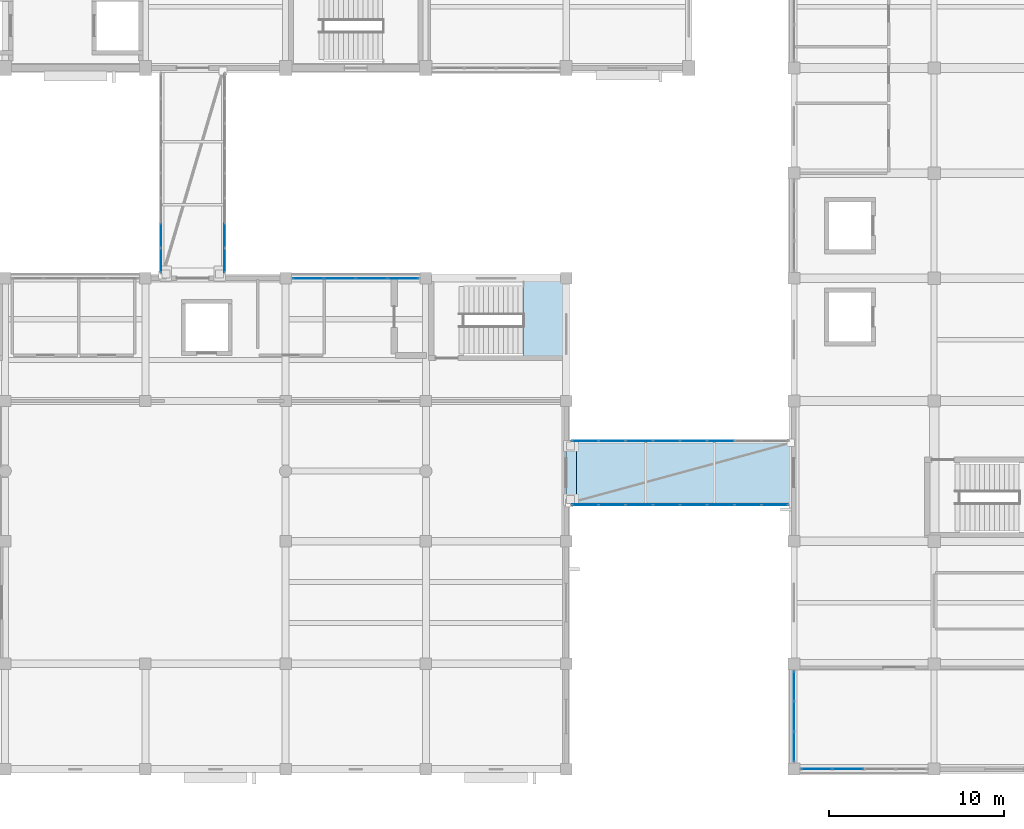
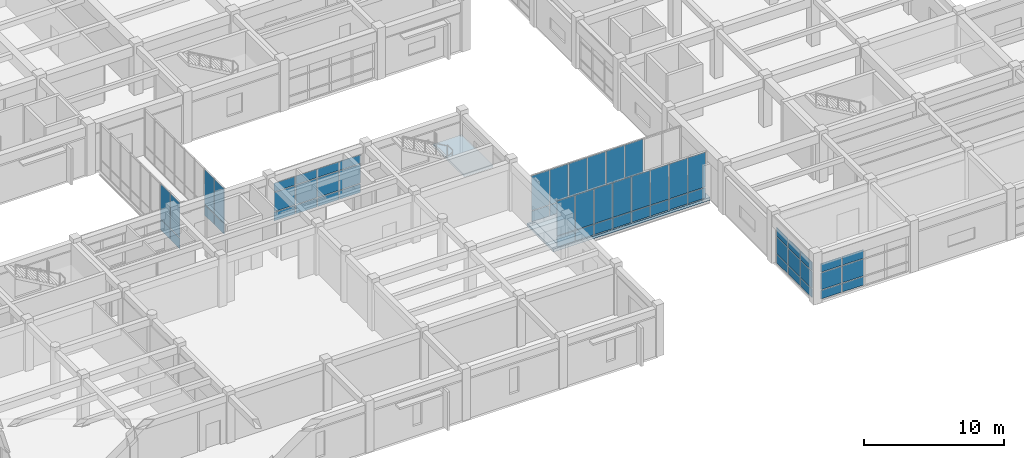
# One storey, part 40 of 72: 64 plates, 2 slabs, 8 elements without a shape of their own.
"""IFC4 building model written with IfcOpenShell, lengths in metres."""

from ifc_helpers import new_model, si_unit, direction, frame, origin, origin_2d, place, context, subcontext, project, spatial, polyline, rectangle, outline, extrude, material, layer, layer_set, type_object, element, aggregate, save


model = new_model("IFC4")

# Units and contexts
model_context = context("Model", 3, precision=1e-05, world=origin(), true_north=direction((0.0, 1.0)))
body_context = subcontext(model_context, "Body", "Model", "MODEL_VIEW")
ifc_project = project(units=[si_unit("LENGTHUNIT", "METRE"), si_unit("AREAUNIT", "SQUARE_METRE"), si_unit("VOLUMEUNIT", "CUBIC_METRE"), si_unit("PLANEANGLEUNIT", "RADIAN"), si_unit("MASSUNIT", "GRAM", prefix="KILO")], contexts=[model_context])

# Site, building, storey
site_placement = place(None, origin())
site = spatial("IfcSite", under=ifc_project, at=site_placement, CompositionType="ELEMENT")
building_placement = place(site_placement, origin())
building = spatial("IfcBuilding", under=site, at=building_placement, Name="Naurynzar Civic Courthouse", CompositionType="ELEMENT")
storey_placement = place(building_placement, frame((0.0, 0.0, 9.89990234375)))
storey = spatial("IfcBuildingStorey", under=building, at=storey_placement, Name="L03", CompositionType="ELEMENT", Elevation=9.89990234375)

# Curtain wall, plates
ifc_material_1 = material(Name="Aluminium 6063-T6", Category="aluminium")
ifc_layer_1 = layer(ifc_material_1, 0.14990234375)
ifc_layer_set_1 = layer_set([ifc_layer_1], Name="CW-BRIDGE-1500")
curtain_wall_type_1 = type_object("IfcCurtainWallType", Name="CW-BRIDGE-1500", PredefinedType="USERDEFINED", material=ifc_layer_set_1)
curtain_wall_1_placement = place(storey_placement, origin())
curtain_wall_1 = element("IfcCurtainWall", 1, at=curtain_wall_1_placement, inside=storey, type_object=curtain_wall_type_1, Name="BR-C1 glazed bridge screen L03.1", ObjectType="GLAZED BRIDGE SCREEN", PredefinedType="USERDEFINED")
ifc_material_2 = material(Name="Tempered Laminated Low-E Glass", Category="glass")
ifc_layer_2 = layer(ifc_material_2, 0.031982421875)
ifc_layer_set_2 = layer_set([ifc_layer_2], Name="CWP-IGU-32")
plate_type_1 = type_object("IfcPlateType", Name="CWP-IGU-32", PredefinedType="CURTAIN_PANEL", material=ifc_layer_set_2)
plate_1_placement = place(storey_placement, frame((93.8798828125, 34.4375, 0.06005859375), z_axis=(0.0, 0.0, 1.0), x_axis=(0.0, -1.0, 0.0)))
plate_1 = element("IfcPlate", 2, at=plate_1_placement, type_object=plate_type_1, Name="CW-03 panel 7.1", PredefinedType="CURTAIN_PANEL", context=body_context, shape_type="SweptSolid", body=[
    extrude(rectangle(XDim=1.364990234375, YDim=0.031982421875, at=origin_2d()), origin(), (0.0, 0.0, 1.0), 0.909912109375),
])
plate_2_placement = place(storey_placement, frame((93.8798828125, 34.4375, 1.0302734375), z_axis=(0.0, 0.0, 1.0), x_axis=(0.0, -1.0, 0.0)))
plate_2 = element("IfcPlate", 3, at=plate_2_placement, type_object=plate_type_1, Name="CW-03 panel 7.2", PredefinedType="CURTAIN_PANEL", context=body_context, shape_type="SweptSolid", body=[
    extrude(rectangle(XDim=1.364990234375, YDim=0.031982421875, at=origin_2d()), origin(), (0.0, 0.0, 1.0), 3.030029296875),
])
plate_3_placement = place(storey_placement, frame((93.8798828125, 33.027587890625, 0.06005859375), z_axis=(0.0, 0.0, 1.0), x_axis=(0.0, -1.0, 0.0)))
plate_3 = element("IfcPlate", 4, at=plate_3_placement, type_object=plate_type_1, Name="CW-03 panel 8.1", PredefinedType="CURTAIN_PANEL", context=body_context, shape_type="SweptSolid", body=[
    extrude(rectangle(XDim=1.3349609375, YDim=0.031982421875, at=origin_2d()), origin(), (0.0, 0.0, 1.0), 0.909912109375),
])
plate_4_placement = place(storey_placement, frame((93.8798828125, 33.027587890625, 1.0302734375), z_axis=(0.0, 0.0, 1.0), x_axis=(0.0, -1.0, 0.0)))
plate_4 = element("IfcPlate", 5, at=plate_4_placement, type_object=plate_type_1, Name="CW-03 panel 8.2", PredefinedType="CURTAIN_PANEL", context=body_context, shape_type="SweptSolid", body=[
    extrude(rectangle(XDim=1.3349609375, YDim=0.031982421875, at=origin_2d()), origin(), (0.0, 0.0, 1.0), 3.030029296875),
])
aggregate(curtain_wall_1, [plate_1, plate_2, plate_3, plate_4])

curtain_wall_2_placement = place(storey_placement, origin())
curtain_wall_2 = element("IfcCurtainWall", 6, at=curtain_wall_2_placement, inside=storey, type_object=curtain_wall_type_1, Name="BR-C1 glazed bridge screen L03.2", ObjectType="GLAZED BRIDGE SCREEN", PredefinedType="USERDEFINED")
plate_5_placement = place(storey_placement, frame((97.52001953125, 33.027587890625, 0.06005859375), z_axis=(0.0, 0.0, 1.0), x_axis=(0.0, 1.0, 0.0)))
plate_5 = element("IfcPlate", 7, at=plate_5_placement, type_object=plate_type_1, Name="CW-03 panel 1.1", PredefinedType="CURTAIN_PANEL", context=body_context, shape_type="SweptSolid", body=[
    extrude(rectangle(XDim=1.3349609375, YDim=0.031982421875, at=origin_2d()), origin(), (0.0, 0.0, 1.0), 0.909912109375),
])
plate_6_placement = place(storey_placement, frame((97.52001953125, 33.027587890625, 1.0302734375), z_axis=(0.0, 0.0, 1.0), x_axis=(0.0, 1.0, 0.0)))
plate_6 = element("IfcPlate", 8, at=plate_6_placement, type_object=plate_type_1, Name="CW-03 panel 1.2", PredefinedType="CURTAIN_PANEL", context=body_context, shape_type="SweptSolid", body=[
    extrude(rectangle(XDim=1.3349609375, YDim=0.031982421875, at=origin_2d()), origin(), (0.0, 0.0, 1.0), 3.030029296875),
])
plate_7_placement = place(storey_placement, frame((97.52001953125, 34.4375, 0.06005859375), z_axis=(0.0, 0.0, 1.0), x_axis=(0.0, 1.0, 0.0)))
plate_7 = element("IfcPlate", 9, at=plate_7_placement, type_object=plate_type_1, Name="CW-03 panel 2.1", PredefinedType="CURTAIN_PANEL", context=body_context, shape_type="SweptSolid", body=[
    extrude(rectangle(XDim=1.364990234375, YDim=0.031982421875, at=origin_2d()), origin(), (0.0, 0.0, 1.0), 0.909912109375),
])
plate_8_placement = place(storey_placement, frame((97.52001953125, 34.4375, 1.0302734375), z_axis=(0.0, 0.0, 1.0), x_axis=(0.0, 1.0, 0.0)))
plate_8 = element("IfcPlate", 10, at=plate_8_placement, type_object=plate_type_1, Name="CW-03 panel 2.2", PredefinedType="CURTAIN_PANEL", context=body_context, shape_type="SweptSolid", body=[
    extrude(rectangle(XDim=1.364990234375, YDim=0.031982421875, at=origin_2d()), origin(), (0.0, 0.0, 1.0), 3.030029296875),
])
aggregate(curtain_wall_2, [plate_5, plate_6, plate_7, plate_8])

curtain_wall_3_placement = place(storey_placement, origin())
curtain_wall_3 = element("IfcCurtainWall", 11, at=curtain_wall_3_placement, inside=storey, type_object=curtain_wall_type_1, Name="BR-E2 glazed bridge screen L03.1", ObjectType="GLAZED BRIDGE SCREEN", PredefinedType="USERDEFINED")
plate_9_placement = place(storey_placement, frame((118.090087890625, 19.080078125, 0.06005859375), z_axis=(0.0, 0.0, 1.0), x_axis=(1.0, 0.0, 0.0)))
plate_9 = element("IfcPlate", 12, at=plate_9_placement, type_object=plate_type_1, Name="CW-03 panel 1.1", PredefinedType="CURTAIN_PANEL", context=body_context, shape_type="SweptSolid", body=[
    extrude(rectangle(XDim=1.4599609375, YDim=0.031982421875, at=origin_2d()), origin(), (0.0, 0.0, 1.0), 0.909912109375),
])
plate_10_placement = place(storey_placement, frame((118.090087890625, 19.080078125, 1.0302734375), z_axis=(0.0, 0.0, 1.0), x_axis=(1.0, 0.0, 0.0)))
plate_10 = element("IfcPlate", 13, at=plate_10_placement, type_object=plate_type_1, Name="CW-03 panel 1.2", PredefinedType="CURTAIN_PANEL", context=body_context, shape_type="SweptSolid", body=[
    extrude(rectangle(XDim=1.4599609375, YDim=0.031982421875, at=origin_2d()), origin(), (0.0, 0.0, 1.0), 3.030029296875),
])
plate_11_placement = place(storey_placement, frame((119.625, 19.080078125, 0.06005859375), z_axis=(0.0, 0.0, 1.0), x_axis=(1.0, 0.0, 0.0)))
plate_11 = element("IfcPlate", 14, at=plate_11_placement, type_object=plate_type_1, Name="CW-03 panel 2.1", PredefinedType="CURTAIN_PANEL", context=body_context, shape_type="SweptSolid", body=[
    extrude(rectangle(XDim=1.489990234375, YDim=0.031982421875, at=origin_2d()), origin(), (0.0, 0.0, 1.0), 0.909912109375),
])
plate_12_placement = place(storey_placement, frame((119.625, 19.080078125, 1.0302734375), z_axis=(0.0, 0.0, 1.0), x_axis=(1.0, 0.0, 0.0)))
plate_12 = element("IfcPlate", 15, at=plate_12_placement, type_object=plate_type_1, Name="CW-03 panel 2.2", PredefinedType="CURTAIN_PANEL", context=body_context, shape_type="SweptSolid", body=[
    extrude(rectangle(XDim=1.489990234375, YDim=0.031982421875, at=origin_2d()), origin(), (0.0, 0.0, 1.0), 3.030029296875),
])
plate_13_placement = place(storey_placement, frame((121.175048828125, 19.080078125, 0.06005859375), z_axis=(0.0, 0.0, 1.0), x_axis=(1.0, 0.0, 0.0)))
plate_13 = element("IfcPlate", 16, at=plate_13_placement, type_object=plate_type_1, Name="CW-03 panel 3.1", PredefinedType="CURTAIN_PANEL", context=body_context, shape_type="SweptSolid", body=[
    extrude(rectangle(XDim=1.489990234375, YDim=0.031982421875, at=origin_2d()), origin(), (0.0, 0.0, 1.0), 0.909912109375),
])
plate_14_placement = place(storey_placement, frame((121.175048828125, 19.080078125, 1.0302734375), z_axis=(0.0, 0.0, 1.0), x_axis=(1.0, 0.0, 0.0)))
plate_14 = element("IfcPlate", 17, at=plate_14_placement, type_object=plate_type_1, Name="CW-03 panel 3.2", PredefinedType="CURTAIN_PANEL", context=body_context, shape_type="SweptSolid", body=[
    extrude(rectangle(XDim=1.489990234375, YDim=0.031982421875, at=origin_2d()), origin(), (0.0, 0.0, 1.0), 3.030029296875),
])
plate_15_placement = place(storey_placement, frame((122.72509765625, 19.080078125, 0.06005859375), z_axis=(0.0, 0.0, 1.0), x_axis=(1.0, 0.0, 0.0)))
plate_15 = element("IfcPlate", 18, at=plate_15_placement, type_object=plate_type_1, Name="CW-03 panel 4.1", PredefinedType="CURTAIN_PANEL", context=body_context, shape_type="SweptSolid", body=[
    extrude(rectangle(XDim=1.489990234375, YDim=0.031982421875, at=origin_2d()), origin(), (0.0, 0.0, 1.0), 0.909912109375),
])
plate_16_placement = place(storey_placement, frame((122.72509765625, 19.080078125, 1.0302734375), z_axis=(0.0, 0.0, 1.0), x_axis=(1.0, 0.0, 0.0)))
plate_16 = element("IfcPlate", 19, at=plate_16_placement, type_object=plate_type_1, Name="CW-03 panel 4.2", PredefinedType="CURTAIN_PANEL", context=body_context, shape_type="SweptSolid", body=[
    extrude(rectangle(XDim=1.489990234375, YDim=0.031982421875, at=origin_2d()), origin(), (0.0, 0.0, 1.0), 3.030029296875),
])
plate_17_placement = place(storey_placement, frame((124.27490234375, 19.080078125, 0.06005859375), z_axis=(0.0, 0.0, 1.0), x_axis=(1.0, 0.0, 0.0)))
plate_17 = element("IfcPlate", 20, at=plate_17_placement, type_object=plate_type_1, Name="CW-03 panel 5.1", PredefinedType="CURTAIN_PANEL", context=body_context, shape_type="SweptSolid", body=[
    extrude(rectangle(XDim=1.489990234375, YDim=0.031982421875, at=origin_2d()), origin(), (0.0, 0.0, 1.0), 0.909912109375),
])
plate_18_placement = place(storey_placement, frame((124.27490234375, 19.080078125, 1.0302734375), z_axis=(0.0, 0.0, 1.0), x_axis=(1.0, 0.0, 0.0)))
plate_18 = element("IfcPlate", 21, at=plate_18_placement, type_object=plate_type_1, Name="CW-03 panel 5.2", PredefinedType="CURTAIN_PANEL", context=body_context, shape_type="SweptSolid", body=[
    extrude(rectangle(XDim=1.489990234375, YDim=0.031982421875, at=origin_2d()), origin(), (0.0, 0.0, 1.0), 3.030029296875),
])
plate_19_placement = place(storey_placement, frame((125.824951171875, 19.080078125, 0.06005859375), z_axis=(0.0, 0.0, 1.0), x_axis=(1.0, 0.0, 0.0)))
plate_19 = element("IfcPlate", 22, at=plate_19_placement, type_object=plate_type_1, Name="CW-03 panel 6.1", PredefinedType="CURTAIN_PANEL", context=body_context, shape_type="SweptSolid", body=[
    extrude(rectangle(XDim=1.489990234375, YDim=0.031982421875, at=origin_2d()), origin(), (0.0, 0.0, 1.0), 0.909912109375),
])
plate_20_placement = place(storey_placement, frame((125.824951171875, 19.080078125, 1.0302734375), z_axis=(0.0, 0.0, 1.0), x_axis=(1.0, 0.0, 0.0)))
plate_20 = element("IfcPlate", 23, at=plate_20_placement, type_object=plate_type_1, Name="CW-03 panel 6.2", PredefinedType="CURTAIN_PANEL", context=body_context, shape_type="SweptSolid", body=[
    extrude(rectangle(XDim=1.489990234375, YDim=0.031982421875, at=origin_2d()), origin(), (0.0, 0.0, 1.0), 3.030029296875),
])
plate_21_placement = place(storey_placement, frame((127.375, 19.080078125, 0.06005859375), z_axis=(0.0, 0.0, 1.0), x_axis=(1.0, 0.0, 0.0)))
plate_21 = element("IfcPlate", 24, at=plate_21_placement, type_object=plate_type_1, Name="CW-03 panel 7.1", PredefinedType="CURTAIN_PANEL", context=body_context, shape_type="SweptSolid", body=[
    extrude(rectangle(XDim=1.489990234375, YDim=0.031982421875, at=origin_2d()), origin(), (0.0, 0.0, 1.0), 0.909912109375),
])
plate_22_placement = place(storey_placement, frame((127.375, 19.080078125, 1.0302734375), z_axis=(0.0, 0.0, 1.0), x_axis=(1.0, 0.0, 0.0)))
plate_22 = element("IfcPlate", 25, at=plate_22_placement, type_object=plate_type_1, Name="CW-03 panel 7.2", PredefinedType="CURTAIN_PANEL", context=body_context, shape_type="SweptSolid", body=[
    extrude(rectangle(XDim=1.489990234375, YDim=0.031982421875, at=origin_2d()), origin(), (0.0, 0.0, 1.0), 3.030029296875),
])
plate_23_placement = place(storey_placement, frame((128.909912109375, 19.080078125, 0.06005859375), z_axis=(0.0, 0.0, 1.0), x_axis=(1.0, 0.0, 0.0)))
plate_23 = element("IfcPlate", 26, at=plate_23_placement, type_object=plate_type_1, Name="CW-03 panel 8.1", PredefinedType="CURTAIN_PANEL", context=body_context, shape_type="SweptSolid", body=[
    extrude(rectangle(XDim=1.4599609375, YDim=0.031982421875, at=origin_2d()), origin(), (0.0, 0.0, 1.0), 0.909912109375),
])
plate_24_placement = place(storey_placement, frame((128.909912109375, 19.080078125, 1.0302734375), z_axis=(0.0, 0.0, 1.0), x_axis=(1.0, 0.0, 0.0)))
plate_24 = element("IfcPlate", 27, at=plate_24_placement, type_object=plate_type_1, Name="CW-03 panel 8.2", PredefinedType="CURTAIN_PANEL", context=body_context, shape_type="SweptSolid", body=[
    extrude(rectangle(XDim=1.4599609375, YDim=0.031982421875, at=origin_2d()), origin(), (0.0, 0.0, 1.0), 3.030029296875),
])
aggregate(curtain_wall_3, [plate_9, plate_10, plate_11, plate_12, plate_13, plate_14, plate_15, plate_16, plate_17, plate_18, plate_19, plate_20, plate_21, plate_22, plate_23, plate_24])

curtain_wall_4_placement = place(storey_placement, origin())
curtain_wall_4 = element("IfcCurtainWall", 28, at=curtain_wall_4_placement, inside=storey, type_object=curtain_wall_type_1, Name="BR-E2 glazed bridge screen L03.2", ObjectType="GLAZED BRIDGE SCREEN", PredefinedType="USERDEFINED")
plate_25_placement = place(storey_placement, frame((125.824951171875, 22.719970703125, 0.06005859375), z_axis=(0.0, 0.0, 1.0), x_axis=(-1.0, 0.0, 0.0)))
plate_25 = element("IfcPlate", 29, at=plate_25_placement, type_object=plate_type_1, Name="CW-03 panel 3.1", PredefinedType="CURTAIN_PANEL", context=body_context, shape_type="SweptSolid", body=[
    extrude(rectangle(XDim=1.489990234375, YDim=0.031982421875, at=origin_2d()), origin(), (0.0, 0.0, 1.0), 0.909912109375),
])
plate_26_placement = place(storey_placement, frame((125.824951171875, 22.719970703125, 1.0302734375), z_axis=(0.0, 0.0, 1.0), x_axis=(-1.0, 0.0, 0.0)))
plate_26 = element("IfcPlate", 30, at=plate_26_placement, type_object=plate_type_1, Name="CW-03 panel 3.2", PredefinedType="CURTAIN_PANEL", context=body_context, shape_type="SweptSolid", body=[
    extrude(rectangle(XDim=1.489990234375, YDim=0.031982421875, at=origin_2d()), origin(), (0.0, 0.0, 1.0), 3.030029296875),
])
plate_27_placement = place(storey_placement, frame((124.27490234375, 22.719970703125, 0.06005859375), z_axis=(0.0, 0.0, 1.0), x_axis=(-1.0, 0.0, 0.0)))
plate_27 = element("IfcPlate", 31, at=plate_27_placement, type_object=plate_type_1, Name="CW-03 panel 4.1", PredefinedType="CURTAIN_PANEL", context=body_context, shape_type="SweptSolid", body=[
    extrude(rectangle(XDim=1.489990234375, YDim=0.031982421875, at=origin_2d()), origin(), (0.0, 0.0, 1.0), 0.909912109375),
])
plate_28_placement = place(storey_placement, frame((124.27490234375, 22.719970703125, 1.0302734375), z_axis=(0.0, 0.0, 1.0), x_axis=(-1.0, 0.0, 0.0)))
plate_28 = element("IfcPlate", 32, at=plate_28_placement, type_object=plate_type_1, Name="CW-03 panel 4.2", PredefinedType="CURTAIN_PANEL", context=body_context, shape_type="SweptSolid", body=[
    extrude(rectangle(XDim=1.489990234375, YDim=0.031982421875, at=origin_2d()), origin(), (0.0, 0.0, 1.0), 3.030029296875),
])
plate_29_placement = place(storey_placement, frame((122.72509765625, 22.719970703125, 0.06005859375), z_axis=(0.0, 0.0, 1.0), x_axis=(-1.0, 0.0, 0.0)))
plate_29 = element("IfcPlate", 33, at=plate_29_placement, type_object=plate_type_1, Name="CW-03 panel 5.1", PredefinedType="CURTAIN_PANEL", context=body_context, shape_type="SweptSolid", body=[
    extrude(rectangle(XDim=1.489990234375, YDim=0.031982421875, at=origin_2d()), origin(), (0.0, 0.0, 1.0), 0.909912109375),
])
plate_30_placement = place(storey_placement, frame((122.72509765625, 22.719970703125, 1.0302734375), z_axis=(0.0, 0.0, 1.0), x_axis=(-1.0, 0.0, 0.0)))
plate_30 = element("IfcPlate", 34, at=plate_30_placement, type_object=plate_type_1, Name="CW-03 panel 5.2", PredefinedType="CURTAIN_PANEL", context=body_context, shape_type="SweptSolid", body=[
    extrude(rectangle(XDim=1.489990234375, YDim=0.031982421875, at=origin_2d()), origin(), (0.0, 0.0, 1.0), 3.030029296875),
])
plate_31_placement = place(storey_placement, frame((121.175048828125, 22.719970703125, 0.06005859375), z_axis=(0.0, 0.0, 1.0), x_axis=(-1.0, 0.0, 0.0)))
plate_31 = element("IfcPlate", 35, at=plate_31_placement, type_object=plate_type_1, Name="CW-03 panel 6.1", PredefinedType="CURTAIN_PANEL", context=body_context, shape_type="SweptSolid", body=[
    extrude(rectangle(XDim=1.489990234375, YDim=0.031982421875, at=origin_2d()), origin(), (0.0, 0.0, 1.0), 0.909912109375),
])
plate_32_placement = place(storey_placement, frame((121.175048828125, 22.719970703125, 1.0302734375), z_axis=(0.0, 0.0, 1.0), x_axis=(-1.0, 0.0, 0.0)))
plate_32 = element("IfcPlate", 36, at=plate_32_placement, type_object=plate_type_1, Name="CW-03 panel 6.2", PredefinedType="CURTAIN_PANEL", context=body_context, shape_type="SweptSolid", body=[
    extrude(rectangle(XDim=1.489990234375, YDim=0.031982421875, at=origin_2d()), origin(), (0.0, 0.0, 1.0), 3.030029296875),
])
plate_33_placement = place(storey_placement, frame((119.625, 22.719970703125, 0.06005859375), z_axis=(0.0, 0.0, 1.0), x_axis=(-1.0, 0.0, 0.0)))
plate_33 = element("IfcPlate", 37, at=plate_33_placement, type_object=plate_type_1, Name="CW-03 panel 7.1", PredefinedType="CURTAIN_PANEL", context=body_context, shape_type="SweptSolid", body=[
    extrude(rectangle(XDim=1.489990234375, YDim=0.031982421875, at=origin_2d()), origin(), (0.0, 0.0, 1.0), 0.909912109375),
])
plate_34_placement = place(storey_placement, frame((119.625, 22.719970703125, 1.0302734375), z_axis=(0.0, 0.0, 1.0), x_axis=(-1.0, 0.0, 0.0)))
plate_34 = element("IfcPlate", 38, at=plate_34_placement, type_object=plate_type_1, Name="CW-03 panel 7.2", PredefinedType="CURTAIN_PANEL", context=body_context, shape_type="SweptSolid", body=[
    extrude(rectangle(XDim=1.489990234375, YDim=0.031982421875, at=origin_2d()), origin(), (0.0, 0.0, 1.0), 3.030029296875),
])
plate_35_placement = place(storey_placement, frame((118.090087890625, 22.719970703125, 0.06005859375), z_axis=(0.0, 0.0, 1.0), x_axis=(-1.0, 0.0, 0.0)))
plate_35 = element("IfcPlate", 39, at=plate_35_placement, type_object=plate_type_1, Name="CW-03 panel 8.1", PredefinedType="CURTAIN_PANEL", context=body_context, shape_type="SweptSolid", body=[
    extrude(rectangle(XDim=1.4599609375, YDim=0.031982421875, at=origin_2d()), origin(), (0.0, 0.0, 1.0), 0.909912109375),
])
plate_36_placement = place(storey_placement, frame((118.090087890625, 22.719970703125, 1.0302734375), z_axis=(0.0, 0.0, 1.0), x_axis=(-1.0, 0.0, 0.0)))
plate_36 = element("IfcPlate", 40, at=plate_36_placement, type_object=plate_type_1, Name="CW-03 panel 8.2", PredefinedType="CURTAIN_PANEL", context=body_context, shape_type="SweptSolid", body=[
    extrude(rectangle(XDim=1.4599609375, YDim=0.031982421875, at=origin_2d()), origin(), (0.0, 0.0, 1.0), 3.030029296875),
])
aggregate(curtain_wall_4, [plate_25, plate_26, plate_27, plate_28, plate_29, plate_30, plate_31, plate_32, plate_33, plate_34, plate_35, plate_36])

ifc_material_3 = material(Name="Aluminium 6063-T6", Category="aluminium")
ifc_layer_3 = layer(ifc_material_3, 0.159912109375)
ifc_layer_set_3 = layer_set([ifc_layer_3], Name="CW-UNIT-1800")
curtain_wall_type_2 = type_object("IfcCurtainWallType", Name="CW-UNIT-1800", PredefinedType="NOTDEFINED", material=ifc_layer_set_3)
curtain_wall_5_placement = place(storey_placement, origin())
curtain_wall_5 = element("IfcCurtainWall", 41, at=curtain_wall_5_placement, inside=storey, type_object=curtain_wall_type_2, Name="V3 unitised curtain wall 69 L03", PredefinedType="NOTDEFINED")
ifc_material_4 = material(Name="Tempered Laminated Low-E Glass", Category="glass")
ifc_layer_4 = layer(ifc_material_4, 0.035888671875)
ifc_layer_set_4 = layer_set([ifc_layer_4], Name="CWP-IGU-36")
plate_type_2 = type_object("IfcPlateType", Name="CWP-IGU-36", PredefinedType="CURTAIN_PANEL", material=ifc_layer_set_4)
plate_37_placement = place(storey_placement, frame((102.298828125, 32.0, 0.070068359375), z_axis=(0.0, 0.0, 1.0), x_axis=(1.0, 0.0, 0.0)))
plate_37 = element("IfcPlate", 42, at=plate_37_placement, type_object=plate_type_2, Name="CW-02 panel 1.1", PredefinedType="CURTAIN_PANEL", context=body_context, shape_type="SweptSolid", body=[
    extrude(rectangle(XDim=1.70751953125, YDim=0.035888671875, at=origin_2d()), origin(), (0.0, 0.0, 1.0), 0.7451171875),
])
plate_38_placement = place(storey_placement, frame((102.298828125, 32.0, 0.88525390625), z_axis=(0.0, 0.0, 1.0), x_axis=(1.0, 0.0, 0.0)))
plate_38 = element("IfcPlate", 43, at=plate_38_placement, type_object=plate_type_2, Name="CW-02 panel 1.2", PredefinedType="CURTAIN_PANEL", context=body_context, shape_type="SweptSolid", body=[
    extrude(rectangle(XDim=1.70751953125, YDim=0.035888671875, at=origin_2d()), origin(), (0.0, 0.0, 1.0), 1.669921875),
])
plate_39_placement = place(storey_placement, frame((102.298828125, 32.0, 2.625), z_axis=(0.0, 0.0, 1.0), x_axis=(1.0, 0.0, 0.0)))
plate_39 = element("IfcPlate", 44, at=plate_39_placement, type_object=plate_type_2, Name="CW-02 panel 1.3", PredefinedType="CURTAIN_PANEL", context=body_context, shape_type="SweptSolid", body=[
    extrude(rectangle(XDim=1.70751953125, YDim=0.035888671875, at=origin_2d()), origin(), (0.0, 0.0, 1.0), 0.7451171875),
])
plate_40_placement = place(storey_placement, frame((104.09375, 32.0, 0.070068359375), z_axis=(0.0, 0.0, 1.0), x_axis=(1.0, 0.0, 0.0)))
plate_40 = element("IfcPlate", 45, at=plate_40_placement, type_object=plate_type_2, Name="CW-02 panel 2.1", PredefinedType="CURTAIN_PANEL", context=body_context, shape_type="SweptSolid", body=[
    extrude(rectangle(XDim=1.742431640625, YDim=0.035888671875, at=origin_2d()), origin(), (0.0, 0.0, 1.0), 0.7451171875),
])
plate_41_placement = place(storey_placement, frame((104.09375, 32.0, 0.88525390625), z_axis=(0.0, 0.0, 1.0), x_axis=(1.0, 0.0, 0.0)))
plate_41 = element("IfcPlate", 46, at=plate_41_placement, type_object=plate_type_2, Name="CW-02 panel 2.2", PredefinedType="CURTAIN_PANEL", context=body_context, shape_type="SweptSolid", body=[
    extrude(rectangle(XDim=1.742431640625, YDim=0.035888671875, at=origin_2d()), origin(), (0.0, 0.0, 1.0), 1.669921875),
])
plate_42_placement = place(storey_placement, frame((104.09375, 32.0, 2.625), z_axis=(0.0, 0.0, 1.0), x_axis=(1.0, 0.0, 0.0)))
plate_42 = element("IfcPlate", 47, at=plate_42_placement, type_object=plate_type_2, Name="CW-02 panel 2.3", PredefinedType="CURTAIN_PANEL", context=body_context, shape_type="SweptSolid", body=[
    extrude(rectangle(XDim=1.742431640625, YDim=0.035888671875, at=origin_2d()), origin(), (0.0, 0.0, 1.0), 0.7451171875),
])
plate_43_placement = place(storey_placement, frame((105.90625, 32.0, 0.070068359375), z_axis=(0.0, 0.0, 1.0), x_axis=(1.0, 0.0, 0.0)))
plate_43 = element("IfcPlate", 48, at=plate_43_placement, type_object=plate_type_2, Name="CW-02 panel 3.1", PredefinedType="CURTAIN_PANEL", context=body_context, shape_type="SweptSolid", body=[
    extrude(rectangle(XDim=1.742431640625, YDim=0.035888671875, at=origin_2d()), origin(), (0.0, 0.0, 1.0), 0.7451171875),
])
plate_44_placement = place(storey_placement, frame((105.90625, 32.0, 0.88525390625), z_axis=(0.0, 0.0, 1.0), x_axis=(1.0, 0.0, 0.0)))
plate_44 = element("IfcPlate", 49, at=plate_44_placement, type_object=plate_type_2, Name="CW-02 panel 3.2", PredefinedType="CURTAIN_PANEL", context=body_context, shape_type="SweptSolid", body=[
    extrude(rectangle(XDim=1.742431640625, YDim=0.035888671875, at=origin_2d()), origin(), (0.0, 0.0, 1.0), 1.669921875),
])
plate_45_placement = place(storey_placement, frame((105.90625, 32.0, 2.625), z_axis=(0.0, 0.0, 1.0), x_axis=(1.0, 0.0, 0.0)))
plate_45 = element("IfcPlate", 50, at=plate_45_placement, type_object=plate_type_2, Name="CW-02 panel 3.3", PredefinedType="CURTAIN_PANEL", context=body_context, shape_type="SweptSolid", body=[
    extrude(rectangle(XDim=1.742431640625, YDim=0.035888671875, at=origin_2d()), origin(), (0.0, 0.0, 1.0), 0.7451171875),
])
plate_46_placement = place(storey_placement, frame((107.701171875, 32.0, 0.070068359375), z_axis=(0.0, 0.0, 1.0), x_axis=(1.0, 0.0, 0.0)))
plate_46 = element("IfcPlate", 51, at=plate_46_placement, type_object=plate_type_2, Name="CW-02 panel 4.1", PredefinedType="CURTAIN_PANEL", context=body_context, shape_type="SweptSolid", body=[
    extrude(rectangle(XDim=1.70751953125, YDim=0.035888671875, at=origin_2d()), origin(), (0.0, 0.0, 1.0), 0.7451171875),
])
plate_47_placement = place(storey_placement, frame((107.701171875, 32.0, 0.88525390625), z_axis=(0.0, 0.0, 1.0), x_axis=(1.0, 0.0, 0.0)))
plate_47 = element("IfcPlate", 52, at=plate_47_placement, type_object=plate_type_2, Name="CW-02 panel 4.2", PredefinedType="CURTAIN_PANEL", context=body_context, shape_type="SweptSolid", body=[
    extrude(rectangle(XDim=1.70751953125, YDim=0.035888671875, at=origin_2d()), origin(), (0.0, 0.0, 1.0), 1.669921875),
])
plate_48_placement = place(storey_placement, frame((107.701171875, 32.0, 2.625), z_axis=(0.0, 0.0, 1.0), x_axis=(1.0, 0.0, 0.0)))
plate_48 = element("IfcPlate", 53, at=plate_48_placement, type_object=plate_type_2, Name="CW-02 panel 4.3", PredefinedType="CURTAIN_PANEL", context=body_context, shape_type="SweptSolid", body=[
    extrude(rectangle(XDim=1.70751953125, YDim=0.035888671875, at=origin_2d()), origin(), (0.0, 0.0, 1.0), 0.7451171875),
])
aggregate(curtain_wall_5, [plate_37, plate_38, plate_39, plate_40, plate_41, plate_42, plate_43, plate_44, plate_45, plate_46, plate_47, plate_48])

curtain_wall_6_placement = place(storey_placement, origin())
curtain_wall_6 = element("IfcCurtainWall", 54, at=curtain_wall_6_placement, inside=storey, type_object=curtain_wall_type_2, Name="V5 unitised curtain wall 90 L03", PredefinedType="NOTDEFINED")
plate_49_placement = place(storey_placement, frame((130.0, 5.27587890625, 0.070068359375), z_axis=(0.0, 0.0, 1.0), x_axis=(0.0, 1.0, 0.0)))
plate_49 = element("IfcPlate", 55, at=plate_49_placement, type_object=plate_type_2, Name="CW-02 panel 1.1", PredefinedType="CURTAIN_PANEL", context=body_context, shape_type="SweptSolid", body=[
    extrude(rectangle(XDim=1.63671875, YDim=0.035888671875, at=origin_2d()), origin(), (0.0, 0.0, 1.0), 0.7451171875),
])
plate_50_placement = place(storey_placement, frame((130.0, 5.27587890625, 0.885009765625), z_axis=(0.0, 0.0, 1.0), x_axis=(0.0, 1.0, 0.0)))
plate_50 = element("IfcPlate", 56, at=plate_50_placement, type_object=plate_type_2, Name="CW-02 panel 1.2", PredefinedType="CURTAIN_PANEL", context=body_context, shape_type="SweptSolid", body=[
    extrude(rectangle(XDim=1.63671875, YDim=0.035888671875, at=origin_2d()), origin(), (0.0, 0.0, 1.0), 1.4599609375),
])
plate_51_placement = place(storey_placement, frame((130.0, 5.27587890625, 2.4150390625), z_axis=(0.0, 0.0, 1.0), x_axis=(0.0, 1.0, 0.0)))
plate_51 = element("IfcPlate", 57, at=plate_51_placement, type_object=plate_type_2, Name="CW-02 panel 1.3", PredefinedType="CURTAIN_PANEL", context=body_context, shape_type="SweptSolid", body=[
    extrude(rectangle(XDim=1.63671875, YDim=0.035888671875, at=origin_2d()), origin(), (0.0, 0.0, 1.0), 0.7451171875),
])
plate_52_placement = place(storey_placement, frame((130.0, 7.0, 0.070068359375), z_axis=(0.0, 0.0, 1.0), x_axis=(0.0, 1.0, 0.0)))
plate_52 = element("IfcPlate", 58, at=plate_52_placement, type_object=plate_type_2, Name="CW-02 panel 2.1", PredefinedType="CURTAIN_PANEL", context=body_context, shape_type="SweptSolid", body=[
    extrude(rectangle(XDim=1.671630859375, YDim=0.035888671875, at=origin_2d()), origin(), (0.0, 0.0, 1.0), 0.7451171875),
])
plate_53_placement = place(storey_placement, frame((130.0, 7.0, 0.885009765625), z_axis=(0.0, 0.0, 1.0), x_axis=(0.0, 1.0, 0.0)))
plate_53 = element("IfcPlate", 59, at=plate_53_placement, type_object=plate_type_2, Name="CW-02 panel 2.2", PredefinedType="CURTAIN_PANEL", context=body_context, shape_type="SweptSolid", body=[
    extrude(rectangle(XDim=1.671630859375, YDim=0.035888671875, at=origin_2d()), origin(), (0.0, 0.0, 1.0), 1.4599609375),
])
plate_54_placement = place(storey_placement, frame((130.0, 7.0, 2.4150390625), z_axis=(0.0, 0.0, 1.0), x_axis=(0.0, 1.0, 0.0)))
plate_54 = element("IfcPlate", 60, at=plate_54_placement, type_object=plate_type_2, Name="CW-02 panel 2.3", PredefinedType="CURTAIN_PANEL", context=body_context, shape_type="SweptSolid", body=[
    extrude(rectangle(XDim=1.671630859375, YDim=0.035888671875, at=origin_2d()), origin(), (0.0, 0.0, 1.0), 0.7451171875),
])
plate_55_placement = place(storey_placement, frame((130.0, 8.72412109375, 0.070068359375), z_axis=(0.0, 0.0, 1.0), x_axis=(0.0, 1.0, 0.0)))
plate_55 = element("IfcPlate", 61, at=plate_55_placement, type_object=plate_type_2, Name="CW-02 panel 3.1", PredefinedType="CURTAIN_PANEL", context=body_context, shape_type="SweptSolid", body=[
    extrude(rectangle(XDim=1.63671875, YDim=0.035888671875, at=origin_2d()), origin(), (0.0, 0.0, 1.0), 0.7451171875),
])
plate_56_placement = place(storey_placement, frame((130.0, 8.72412109375, 0.885009765625), z_axis=(0.0, 0.0, 1.0), x_axis=(0.0, 1.0, 0.0)))
plate_56 = element("IfcPlate", 62, at=plate_56_placement, type_object=plate_type_2, Name="CW-02 panel 3.2", PredefinedType="CURTAIN_PANEL", context=body_context, shape_type="SweptSolid", body=[
    extrude(rectangle(XDim=1.63671875, YDim=0.035888671875, at=origin_2d()), origin(), (0.0, 0.0, 1.0), 1.4599609375),
])
plate_57_placement = place(storey_placement, frame((130.0, 8.72412109375, 2.4150390625), z_axis=(0.0, 0.0, 1.0), x_axis=(0.0, 1.0, 0.0)))
plate_57 = element("IfcPlate", 63, at=plate_57_placement, type_object=plate_type_2, Name="CW-02 panel 3.3", PredefinedType="CURTAIN_PANEL", context=body_context, shape_type="SweptSolid", body=[
    extrude(rectangle(XDim=1.63671875, YDim=0.035888671875, at=origin_2d()), origin(), (0.0, 0.0, 1.0), 0.7451171875),
])
aggregate(curtain_wall_6, [plate_49, plate_50, plate_51, plate_52, plate_53, plate_54, plate_55, plate_56, plate_57])

curtain_wall_7_placement = place(storey_placement, origin())
curtain_wall_7 = element("IfcCurtainWall", 64, at=curtain_wall_7_placement, inside=storey, type_object=curtain_wall_type_2, Name="V5 unitised curtain wall 96 L03", PredefinedType="NOTDEFINED")
plate_58_placement = place(storey_placement, frame((133.096923828125, 4.0, 0.070068359375), z_axis=(0.0, 0.0, 1.0), x_axis=(-1.0, 0.0, 0.0)))
plate_58 = element("IfcPlate", 65, at=plate_58_placement, type_object=plate_type_2, Name="CW-02 panel 3.1", PredefinedType="CURTAIN_PANEL", context=body_context, shape_type="SweptSolid", body=[
    extrude(rectangle(XDim=1.736328125, YDim=0.035888671875, at=origin_2d()), origin(), (0.0, 0.0, 1.0), 0.7451171875),
])
plate_59_placement = place(storey_placement, frame((133.096923828125, 4.0, 0.885009765625), z_axis=(0.0, 0.0, 1.0), x_axis=(-1.0, 0.0, 0.0)))
plate_59 = element("IfcPlate", 66, at=plate_59_placement, type_object=plate_type_2, Name="CW-02 panel 3.2", PredefinedType="CURTAIN_PANEL", context=body_context, shape_type="SweptSolid", body=[
    extrude(rectangle(XDim=1.736328125, YDim=0.035888671875, at=origin_2d()), origin(), (0.0, 0.0, 1.0), 1.4599609375),
])
plate_60_placement = place(storey_placement, frame((133.096923828125, 4.0, 2.4150390625), z_axis=(0.0, 0.0, 1.0), x_axis=(-1.0, 0.0, 0.0)))
plate_60 = element("IfcPlate", 67, at=plate_60_placement, type_object=plate_type_2, Name="CW-02 panel 3.3", PredefinedType="CURTAIN_PANEL", context=body_context, shape_type="SweptSolid", body=[
    extrude(rectangle(XDim=1.736328125, YDim=0.035888671875, at=origin_2d()), origin(), (0.0, 0.0, 1.0), 0.7451171875),
])
plate_61_placement = place(storey_placement, frame((131.30810546875, 4.0, 0.070068359375), z_axis=(0.0, 0.0, 1.0), x_axis=(-1.0, 0.0, 0.0)))
plate_61 = element("IfcPlate", 68, at=plate_61_placement, type_object=plate_type_2, Name="CW-02 panel 4.1", PredefinedType="CURTAIN_PANEL", context=body_context, shape_type="SweptSolid", body=[
    extrude(rectangle(XDim=1.701171875, YDim=0.035888671875, at=origin_2d()), origin(), (0.0, 0.0, 1.0), 0.7451171875),
])
plate_62_placement = place(storey_placement, frame((131.30810546875, 4.0, 0.885009765625), z_axis=(0.0, 0.0, 1.0), x_axis=(-1.0, 0.0, 0.0)))
plate_62 = element("IfcPlate", 69, at=plate_62_placement, type_object=plate_type_2, Name="CW-02 panel 4.2", PredefinedType="CURTAIN_PANEL", context=body_context, shape_type="SweptSolid", body=[
    extrude(rectangle(XDim=1.701171875, YDim=0.035888671875, at=origin_2d()), origin(), (0.0, 0.0, 1.0), 1.4599609375),
])
plate_63_placement = place(storey_placement, frame((131.30810546875, 4.0, 2.4150390625), z_axis=(0.0, 0.0, 1.0), x_axis=(-1.0, 0.0, 0.0)))
plate_63 = element("IfcPlate", 70, at=plate_63_placement, type_object=plate_type_2, Name="CW-02 panel 4.3", PredefinedType="CURTAIN_PANEL", context=body_context, shape_type="SweptSolid", body=[
    extrude(rectangle(XDim=1.701171875, YDim=0.035888671875, at=origin_2d()), origin(), (0.0, 0.0, 1.0), 0.7451171875),
])
aggregate(curtain_wall_7, [plate_58, plate_59, plate_60, plate_61, plate_62, plate_63])

# Plate
ifc_material_5 = material(Name="Brushed Stainless Steel 304", Category="steel")
ifc_layer_5 = layer(ifc_material_5, 0.011962890625)
ifc_layer_set_5 = layer_set([ifc_layer_5], Name="PLT-SEISMIC-COVER-12")
plate_type_3 = type_object("IfcPlateType", Name="PLT-SEISMIC-COVER-12", PredefinedType="SHEET", material=ifc_layer_set_5)
plate_64_placement = place(storey_placement, frame((117.300048828125, 20.89990234375, 0.0), z_axis=(0.0, 0.0, 1.0), x_axis=(1.0, 0.0, 0.0)))
element("IfcPlate", 71, at=plate_64_placement, inside=storey, type_object=plate_type_3, Name="BR-E2 seismic floor joint cover plate L03", PredefinedType="SHEET", context=body_context, shape_type="SweptSolid", body=[
    extrude(rectangle(XDim=0.60009765625, YDim=3.39990234375, at=origin_2d()), origin(), (0.0, 0.0, 1.0), 0.011962890625),
])

# Slab
ifc_material_6 = material(Name="Concrete C35/45", Category="concrete")
ifc_layer_6 = layer(ifc_material_6, 0.239990234375)
ifc_layer_set_6 = layer_set([ifc_layer_6], Name="SLB-BRG-240")
slab_type_1 = type_object("IfcSlabType", Name="SLB-BRG-240", PredefinedType="FLOOR", material=ifc_layer_set_6)
slab_1_placement = place(storey_placement, frame((0.0, 0.0, -0.239990234375)))
element("IfcSlab", 72, at=slab_1_placement, inside=storey, type_object=slab_type_1, Name="Southeast Courts Seismic Link Passage deck slab L03", PredefinedType="FLOOR", context=body_context, shape_type="SweptSolid", body=[
    extrude(outline(polyline([(117.02001953125, 19.02001953125), (129.97998046875, 19.02001953125), (129.97998046875, 22.780029296875), (117.02001953125, 22.780029296875), (117.02001953125, 19.02001953125)])), origin(), (0.0, 0.0, 1.0), 0.239990234375),
])

# Stair, slab
ifc_material_7 = material(Name="Concrete C35/45", Category="concrete")
stair_type = type_object("IfcStairType", Name="STAIR-CORE-1600", PredefinedType="TWO_STRAIGHT_RUN_STAIR", material=ifc_material_7)
stair_placement = place(storey_placement, origin())
stair = element("IfcStair", 73, at=stair_placement, inside=storey, type_object=stair_type, Name="Enclosed escape stair ST-V3B L03", PredefinedType="TWO_STRAIGHT_RUN_STAIR")
ifc_material_8 = material(Name="Concrete C35/45", Category="concrete")
ifc_layer_7 = layer(ifc_material_8, 0.199951171875)
ifc_layer_set_7 = layer_set([ifc_layer_7], Name="SLB-LAND-200")
slab_type_2 = type_object("IfcSlabType", Name="SLB-LAND-200", PredefinedType="LANDING", material=ifc_layer_set_7)
slab_2_placement = place(storey_placement, frame((0.0, 0.0, 2.050048828125)))
slab_2 = element("IfcSlab", 74, at=slab_2_placement, type_object=slab_type_2, Name="ST-V3B-L03 landing 1", PredefinedType="LANDING", context=body_context, shape_type="SweptSolid", body=[
    extrude(outline(polyline([(114.5400390625, 27.47998046875), (116.919921875, 27.47998046875), (116.919921875, 31.919921875), (114.5400390625, 31.919921875), (114.5400390625, 27.47998046875)])), origin(), (0.0, 0.0, 1.0), 0.199951171875),
])
aggregate(stair, [slab_2])

save(model, "model.ifc")
